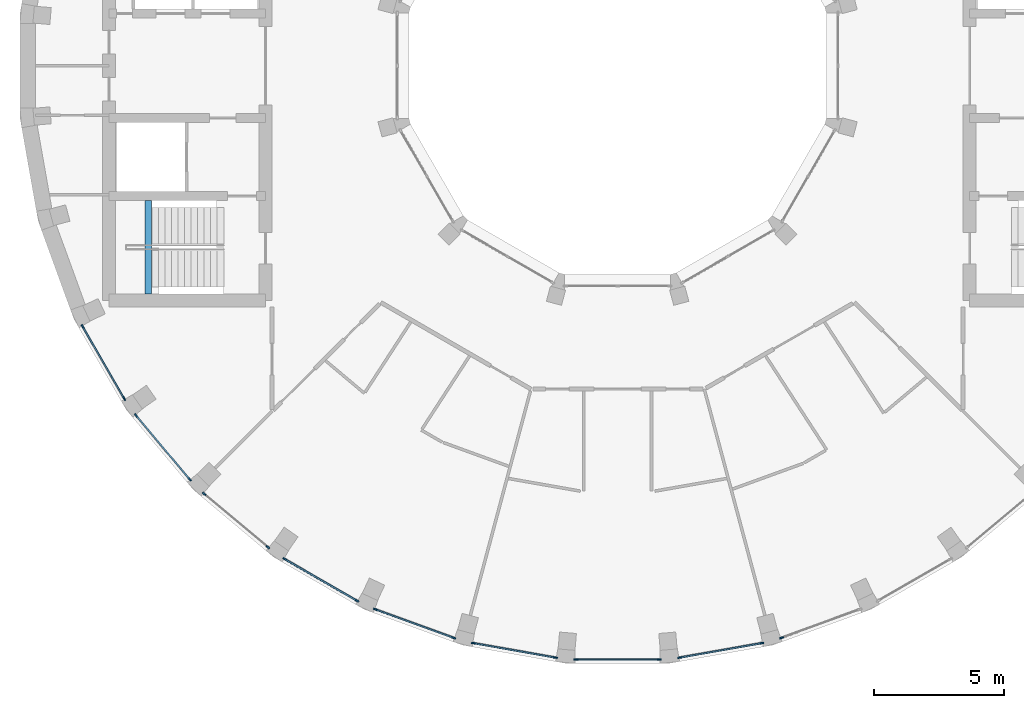
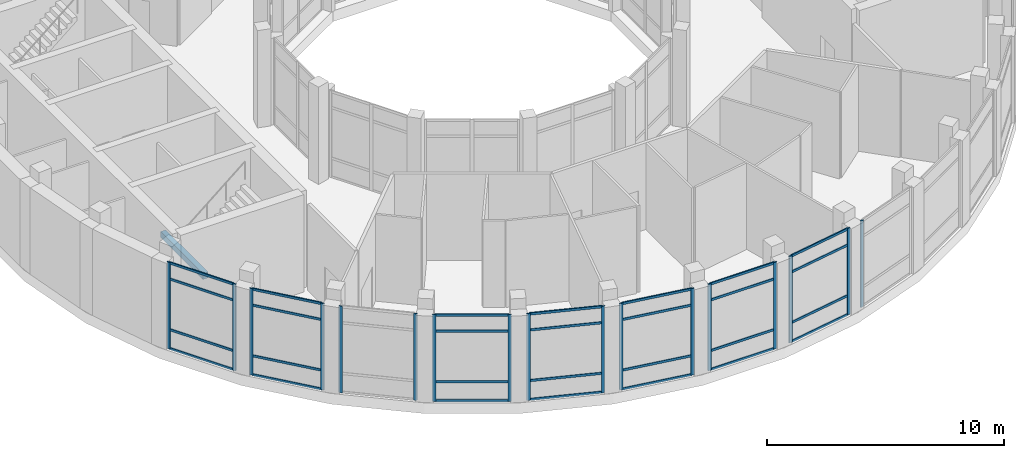
# One storey, part 2 of 16: 45 members, 1 beam, 9 elements without a shape of their own.
"""IFC4 building model written with IfcOpenShell, lengths in metres."""

from ifc_helpers import new_model, si_unit, direction, frame, origin, origin_2d, place, context, subcontext, project, spatial, rectangle, extrude, material, layer, layer_set, material_profile, profile_set, type_object, element, aggregate, save


model = new_model("IFC4")

# Units and contexts
model_context = context("Model", 3, precision=1e-05, world=origin(), true_north=direction((0.0, 1.0)))
body_context = subcontext(model_context, "Body", "Model", "MODEL_VIEW")
ifc_project = project(units=[si_unit("LENGTHUNIT", "METRE"), si_unit("AREAUNIT", "SQUARE_METRE"), si_unit("VOLUMEUNIT", "CUBIC_METRE"), si_unit("PLANEANGLEUNIT", "RADIAN"), si_unit("MASSUNIT", "GRAM", prefix="KILO")], contexts=[model_context])

# Site, building, storey
site_placement = place(None, origin())
site = spatial("IfcSite", under=ifc_project, at=site_placement, CompositionType="ELEMENT")
building_placement = place(site_placement, origin())
building = spatial("IfcBuilding", under=site, at=building_placement, Name="Saqina Gate Tower", CompositionType="ELEMENT")
storey_placement = place(building_placement, frame((0.0, 0.0, 279.199951171875)))
storey = spatial("IfcBuildingStorey", under=building, at=storey_placement, Name="L80", CompositionType="ELEMENT", Elevation=279.199951171875)

# Curtain wall, members
ifc_material_1 = material(Name="Aluminium glazing", Category="aluminium")
ifc_layer = layer(ifc_material_1, 0.159912109375)
ifc_layer_set = layer_set([ifc_layer], Name="CWT-2")
curtain_wall_type = type_object("IfcCurtainWallType", Name="CWT-2", PredefinedType="NOTDEFINED", material=ifc_layer_set)
curtain_wall_1_placement = place(storey_placement, origin())
curtain_wall_1 = element("IfcCurtainWall", 1, at=curtain_wall_1_placement, inside=storey, type_object=curtain_wall_type, Name="Sky lounge glazing facet 21", PredefinedType="NOTDEFINED")
ifc_material_2 = material(Name="Aluminium", Category="aluminium")
ifc_material_profile_1 = material_profile(ifc_material_2, rectangle(XDim=0.06005859375, YDim=0.159912109375, at=origin_2d()), Name="Aluminium 60x160")
ifc_profile_set_1 = profile_set([ifc_material_profile_1], Name="Aluminium")
member_type_1 = type_object("IfcMemberType", Name="CWT-2M", PredefinedType="MULLION", material=ifc_profile_set_1)
member_1_placement = place(storey_placement, frame((-20.5107421875, -9.999267578125, 0.0), z_axis=(0.0, 0.0, 1.0), x_axis=(0.8660355365, 0.499982449212, 0.0)))
member_1 = element("IfcMember", 2, at=member_1_placement, type_object=member_type_1, Name="CW2-21 mullion 1", PredefinedType="MULLION", context=body_context, shape_type="SweptSolid", body=[
    extrude(rectangle(XDim=0.06005859375, YDim=0.159912109375, at=origin_2d()), origin(), (0.0, 0.0, 1.0), 4.449951171875),
])
member_2_placement = place(storey_placement, frame((-18.9150390625, -12.763427734375, 0.0), z_axis=(0.0, 0.0, 1.0), x_axis=(0.8660355365, 0.499982449212, 0.0)))
member_2 = element("IfcMember", 3, at=member_2_placement, type_object=member_type_1, Name="CW2-21 mullion 2", PredefinedType="MULLION", context=body_context, shape_type="SweptSolid", body=[
    extrude(rectangle(XDim=0.06005859375, YDim=0.159912109375, at=origin_2d()), origin(), (0.0, 0.0, 1.0), 4.449951171875),
])

curtain_wall_2_placement = place(storey_placement, origin())
curtain_wall_2 = element("IfcCurtainWall", 4, at=curtain_wall_2_placement, inside=storey, type_object=curtain_wall_type, Name="Sky lounge glazing facet 22", PredefinedType="NOTDEFINED")
member_3_placement = place(storey_placement, frame((-18.462890625, -13.408935546875, 0.0), z_axis=(0.0, 0.0, 1.0), x_axis=(0.766046452821, 0.642785214609, 0.0)))
member_3 = element("IfcMember", 5, at=member_3_placement, type_object=member_type_1, Name="CW2-22 mullion 1", PredefinedType="MULLION", context=body_context, shape_type="SweptSolid", body=[
    extrude(rectangle(XDim=0.06005859375, YDim=0.159912109375, at=origin_2d()), origin(), (0.0, 0.0, 1.0), 4.449951171875),
])
member_4_placement = place(storey_placement, frame((-16.411376953125, -15.85400390625, 0.0), z_axis=(0.0, 0.0, 1.0), x_axis=(0.766046452821, 0.642785214609, 0.0)))
member_4 = element("IfcMember", 6, at=member_4_placement, type_object=member_type_1, Name="CW2-22 mullion 2", PredefinedType="MULLION", context=body_context, shape_type="SweptSolid", body=[
    extrude(rectangle(XDim=0.06005859375, YDim=0.159912109375, at=origin_2d()), origin(), (0.0, 0.0, 1.0), 4.449951171875),
])

curtain_wall_3_placement = place(storey_placement, origin())
curtain_wall_3 = element("IfcCurtainWall", 7, at=curtain_wall_3_placement, inside=storey, type_object=curtain_wall_type, Name="Sky lounge glazing facet 23", PredefinedType="NOTDEFINED")
member_5_placement = place(storey_placement, frame((-15.85400390625, -16.411376953125, 0.0), z_axis=(0.0, 0.0, 1.0), x_axis=(0.642785214609, 0.766046452821, 0.0)))
member_5 = element("IfcMember", 8, at=member_5_placement, type_object=member_type_1, Name="CW2-23 mullion 1", PredefinedType="MULLION", context=body_context, shape_type="SweptSolid", body=[
    extrude(rectangle(XDim=0.06005859375, YDim=0.159912109375, at=origin_2d()), origin(), (0.0, 0.0, 1.0), 4.449951171875),
])
member_6_placement = place(storey_placement, frame((-13.408935546875, -18.462890625, 0.0), z_axis=(0.0, 0.0, 1.0), x_axis=(0.642785214609, 0.766046452821, 0.0)))
member_6 = element("IfcMember", 9, at=member_6_placement, type_object=member_type_1, Name="CW2-23 mullion 2", PredefinedType="MULLION", context=body_context, shape_type="SweptSolid", body=[
    extrude(rectangle(XDim=0.06005859375, YDim=0.159912109375, at=origin_2d()), origin(), (0.0, 0.0, 1.0), 4.449951171875),
])
aggregate(curtain_wall_3, [member_5, member_6])

curtain_wall_4_placement = place(storey_placement, origin())
curtain_wall_4 = element("IfcCurtainWall", 10, at=curtain_wall_4_placement, inside=storey, type_object=curtain_wall_type, Name="Sky lounge glazing facet 24", PredefinedType="NOTDEFINED")
member_7_placement = place(storey_placement, frame((-12.763427734375, -18.9150390625, 0.0), z_axis=(0.0, 0.0, 1.0), x_axis=(0.499982449212, 0.8660355365, 0.0)))
member_7 = element("IfcMember", 11, at=member_7_placement, type_object=member_type_1, Name="CW2-24 mullion 1", PredefinedType="MULLION", context=body_context, shape_type="SweptSolid", body=[
    extrude(rectangle(XDim=0.06005859375, YDim=0.159912109375, at=origin_2d()), origin(), (0.0, 0.0, 1.0), 4.449951171875),
])
member_8_placement = place(storey_placement, frame((-9.999267578125, -20.5107421875, 0.0), z_axis=(0.0, 0.0, 1.0), x_axis=(0.499982449212, 0.8660355365, 0.0)))
member_8 = element("IfcMember", 12, at=member_8_placement, type_object=member_type_1, Name="CW2-24 mullion 2", PredefinedType="MULLION", context=body_context, shape_type="SweptSolid", body=[
    extrude(rectangle(XDim=0.06005859375, YDim=0.159912109375, at=origin_2d()), origin(), (0.0, 0.0, 1.0), 4.449951171875),
])

curtain_wall_5_placement = place(storey_placement, origin())
curtain_wall_5 = element("IfcCurtainWall", 13, at=curtain_wall_5_placement, inside=storey, type_object=curtain_wall_type, Name="Sky lounge glazing facet 25", PredefinedType="NOTDEFINED")
member_9_placement = place(storey_placement, frame((-9.284912109375, -20.843994140625, 0.0), z_axis=(0.0, 0.0, 1.0), x_axis=(0.342007258437, 0.939697310402, 0.0)))
member_9 = element("IfcMember", 14, at=member_9_placement, type_object=member_type_1, Name="CW2-25 mullion 1", PredefinedType="MULLION", context=body_context, shape_type="SweptSolid", body=[
    extrude(rectangle(XDim=0.06005859375, YDim=0.159912109375, at=origin_2d()), origin(), (0.0, 0.0, 1.0), 4.449951171875),
])
member_10_placement = place(storey_placement, frame((-6.28564453125, -21.935546875, 0.0), z_axis=(0.0, 0.0, 1.0), x_axis=(0.342007258437, 0.939697310402, 0.0)))
member_10 = element("IfcMember", 15, at=member_10_placement, type_object=member_type_1, Name="CW2-25 mullion 2", PredefinedType="MULLION", context=body_context, shape_type="SweptSolid", body=[
    extrude(rectangle(XDim=0.06005859375, YDim=0.159912109375, at=origin_2d()), origin(), (0.0, 0.0, 1.0), 4.449951171875),
])

curtain_wall_6_placement = place(storey_placement, origin())
curtain_wall_6 = element("IfcCurtainWall", 16, at=curtain_wall_6_placement, inside=storey, type_object=curtain_wall_type, Name="Sky lounge glazing facet 26", PredefinedType="NOTDEFINED")
member_11_placement = place(storey_placement, frame((-5.524169921875, -22.139404296875, 0.0), z_axis=(0.0, 0.0, 1.0), x_axis=(0.173662526718, 0.984805222779, 0.0)))
member_11 = element("IfcMember", 17, at=member_11_placement, type_object=member_type_1, Name="CW2-26 mullion 1", PredefinedType="MULLION", context=body_context, shape_type="SweptSolid", body=[
    extrude(rectangle(XDim=0.06005859375, YDim=0.159912109375, at=origin_2d()), origin(), (0.0, 0.0, 1.0), 4.449951171875),
])
member_12_placement = place(storey_placement, frame((-2.381103515625, -22.69384765625, 0.0), z_axis=(0.0, 0.0, 1.0), x_axis=(0.173662526718, 0.984805222779, 0.0)))
member_12 = element("IfcMember", 18, at=member_12_placement, type_object=member_type_1, Name="CW2-26 mullion 2", PredefinedType="MULLION", context=body_context, shape_type="SweptSolid", body=[
    extrude(rectangle(XDim=0.06005859375, YDim=0.159912109375, at=origin_2d()), origin(), (0.0, 0.0, 1.0), 4.449951171875),
])

curtain_wall_7_placement = place(storey_placement, origin())
curtain_wall_7 = element("IfcCurtainWall", 19, at=curtain_wall_7_placement, inside=storey, type_object=curtain_wall_type, Name="Sky lounge glazing facet 27", PredefinedType="NOTDEFINED")
member_13_placement = place(storey_placement, frame((-1.595703125, -22.762451171875, 0.0), z_axis=(0.0, 0.0, 1.0), x_axis=(0.0, 1.0, 0.0)))
member_13 = element("IfcMember", 20, at=member_13_placement, type_object=member_type_1, Name="CW2-27 mullion 1", PredefinedType="MULLION", context=body_context, shape_type="SweptSolid", body=[
    extrude(rectangle(XDim=0.06005859375, YDim=0.159912109375, at=origin_2d()), origin(), (0.0, 0.0, 1.0), 4.449951171875),
])
member_14_placement = place(storey_placement, frame((1.595703125, -22.762451171875, 0.0), z_axis=(0.0, 0.0, 1.0), x_axis=(0.0, 1.0, 0.0)))
member_14 = element("IfcMember", 21, at=member_14_placement, type_object=member_type_1, Name="CW2-27 mullion 2", PredefinedType="MULLION", context=body_context, shape_type="SweptSolid", body=[
    extrude(rectangle(XDim=0.06005859375, YDim=0.159912109375, at=origin_2d()), origin(), (0.0, 0.0, 1.0), 4.449951171875),
])

curtain_wall_8_placement = place(storey_placement, origin())
curtain_wall_8 = element("IfcCurtainWall", 22, at=curtain_wall_8_placement, inside=storey, type_object=curtain_wall_type, Name="Sky lounge glazing facet 28", PredefinedType="NOTDEFINED")
member_15_placement = place(storey_placement, frame((2.381103515625, -22.69384765625, 0.0), z_axis=(0.0, 0.0, 1.0), x_axis=(-0.173662526718, 0.984805222779, 0.0)))
member_15 = element("IfcMember", 23, at=member_15_placement, type_object=member_type_1, Name="CW2-28 mullion 1", PredefinedType="MULLION", context=body_context, shape_type="SweptSolid", body=[
    extrude(rectangle(XDim=0.06005859375, YDim=0.159912109375, at=origin_2d()), origin(), (0.0, 0.0, 1.0), 4.449951171875),
])
member_16_placement = place(storey_placement, frame((5.524169921875, -22.139404296875, 0.0), z_axis=(0.0, 0.0, 1.0), x_axis=(-0.173662526718, 0.984805222779, 0.0)))
member_16 = element("IfcMember", 24, at=member_16_placement, type_object=member_type_1, Name="CW2-28 mullion 2", PredefinedType="MULLION", context=body_context, shape_type="SweptSolid", body=[
    extrude(rectangle(XDim=0.06005859375, YDim=0.159912109375, at=origin_2d()), origin(), (0.0, 0.0, 1.0), 4.449951171875),
])

# Curtain wall, member
curtain_wall_9_placement = place(storey_placement, origin())
curtain_wall_9 = element("IfcCurtainWall", 25, at=curtain_wall_9_placement, inside=storey, type_object=curtain_wall_type, Name="Sky lounge glazing facet 29", PredefinedType="NOTDEFINED")
member_17_placement = place(storey_placement, frame((6.28564453125, -21.935546875, 0.0), z_axis=(0.0, 0.0, 1.0), x_axis=(-0.342007258437, 0.939697310402, 0.0)))
member_17 = element("IfcMember", 26, at=member_17_placement, type_object=member_type_1, Name="CW2-29 mullion 1", PredefinedType="MULLION", context=body_context, shape_type="SweptSolid", body=[
    extrude(rectangle(XDim=0.06005859375, YDim=0.159912109375, at=origin_2d()), origin(), (0.0, 0.0, 1.0), 4.449951171875),
])
aggregate(curtain_wall_9, [member_17])

# Member
ifc_material_3 = material(Name="Aluminium", Category="aluminium")
ifc_material_profile_2 = material_profile(ifc_material_3, rectangle(XDim=0.06005859375, YDim=0.1201171875, at=origin_2d()), Name="Aluminium 60x120")
ifc_profile_set_2 = profile_set([ifc_material_profile_2], Name="Aluminium")
member_type_2 = type_object("IfcMemberType", Name="CWT-2T", PredefinedType="USERDEFINED", material=ifc_profile_set_2)
member_18_placement = place(storey_placement, frame((-20.495849609375, -10.025146484375, 0.030029296875), z_axis=(0.50001262068, -0.866018117109, 0.0), x_axis=(0.866018117109, 0.50001262068, 0.0)))
member_18 = element("IfcMember", 27, at=member_18_placement, type_object=member_type_2, Name="CW2-21 transom 1.1", ObjectType="TRANSOM", PredefinedType="USERDEFINED", context=body_context, shape_type="SweptSolid", body=[
    extrude(rectangle(XDim=0.06005859375, YDim=0.1201171875, at=origin_2d()), origin(), (0.0, 0.0, 1.0), 3.1318359375),
])

member_19_placement = place(storey_placement, frame((-20.495849609375, -10.025146484375, 1.0), z_axis=(0.50001262068, -0.866018117109, 0.0), x_axis=(0.866018117109, 0.50001262068, 0.0)))
member_19 = element("IfcMember", 28, at=member_19_placement, type_object=member_type_2, Name="CW2-21 transom 1.2", ObjectType="TRANSOM", PredefinedType="USERDEFINED", context=body_context, shape_type="SweptSolid", body=[
    extrude(rectangle(XDim=0.06005859375, YDim=0.1201171875, at=origin_2d()), origin(), (0.0, 0.0, 1.0), 3.1318359375),
])

member_20_placement = place(storey_placement, frame((-20.495849609375, -10.025146484375, 3.60009765625), z_axis=(0.50001262068, -0.866018117109, 0.0), x_axis=(0.866018117109, 0.50001262068, 0.0)))
member_20 = element("IfcMember", 29, at=member_20_placement, type_object=member_type_2, Name="CW2-21 transom 1.3", ObjectType="TRANSOM", PredefinedType="USERDEFINED", context=body_context, shape_type="SweptSolid", body=[
    extrude(rectangle(XDim=0.06005859375, YDim=0.1201171875, at=origin_2d()), origin(), (0.0, 0.0, 1.0), 3.1318359375),
])

member_21_placement = place(storey_placement, frame((-20.495849609375, -10.025146484375, 4.420166015625), z_axis=(0.50001262068, -0.866018117109, 0.0), x_axis=(0.866018117109, 0.50001262068, 0.0)))
member_21 = element("IfcMember", 30, at=member_21_placement, type_object=member_type_2, Name="CW2-21 transom 1.4", ObjectType="TRANSOM", PredefinedType="USERDEFINED", context=body_context, shape_type="SweptSolid", body=[
    extrude(rectangle(XDim=0.06005859375, YDim=0.1201171875, at=origin_2d()), origin(), (0.0, 0.0, 1.0), 3.1318359375),
])

aggregate(curtain_wall_1, [member_1, member_2, member_18, member_19, member_20, member_21])

member_22_placement = place(storey_placement, frame((-18.443603515625, -13.431884765625, 0.030029296875), z_axis=(0.642749544244, -0.766076382206, 0.0), x_axis=(0.766076382206, 0.642749544244, 0.0)))
member_22 = element("IfcMember", 31, at=member_22_placement, type_object=member_type_2, Name="CW2-22 transom 1.1", ObjectType="TRANSOM", PredefinedType="USERDEFINED", context=body_context, shape_type="SweptSolid", body=[
    extrude(rectangle(XDim=0.06005859375, YDim=0.1201171875, at=origin_2d()), origin(), (0.0, 0.0, 1.0), 3.1318359375),
])

member_23_placement = place(storey_placement, frame((-18.443603515625, -13.431884765625, 1.0), z_axis=(0.642749544244, -0.766076382206, 0.0), x_axis=(0.766076382206, 0.642749544244, 0.0)))
member_23 = element("IfcMember", 32, at=member_23_placement, type_object=member_type_2, Name="CW2-22 transom 1.2", ObjectType="TRANSOM", PredefinedType="USERDEFINED", context=body_context, shape_type="SweptSolid", body=[
    extrude(rectangle(XDim=0.06005859375, YDim=0.1201171875, at=origin_2d()), origin(), (0.0, 0.0, 1.0), 3.1318359375),
])

member_24_placement = place(storey_placement, frame((-18.443603515625, -13.431884765625, 3.60009765625), z_axis=(0.642749544244, -0.766076382206, 0.0), x_axis=(0.766076382206, 0.642749544244, 0.0)))
member_24 = element("IfcMember", 33, at=member_24_placement, type_object=member_type_2, Name="CW2-22 transom 1.3", ObjectType="TRANSOM", PredefinedType="USERDEFINED", context=body_context, shape_type="SweptSolid", body=[
    extrude(rectangle(XDim=0.06005859375, YDim=0.1201171875, at=origin_2d()), origin(), (0.0, 0.0, 1.0), 3.1318359375),
])

member_25_placement = place(storey_placement, frame((-18.443603515625, -13.431884765625, 4.420166015625), z_axis=(0.642749544244, -0.766076382206, 0.0), x_axis=(0.766076382206, 0.642749544244, 0.0)))
member_25 = element("IfcMember", 34, at=member_25_placement, type_object=member_type_2, Name="CW2-22 transom 1.4", ObjectType="TRANSOM", PredefinedType="USERDEFINED", context=body_context, shape_type="SweptSolid", body=[
    extrude(rectangle(XDim=0.06005859375, YDim=0.1201171875, at=origin_2d()), origin(), (0.0, 0.0, 1.0), 3.1318359375),
])

aggregate(curtain_wall_2, [member_3, member_4, member_22, member_23, member_24, member_25])

member_26_placement = place(storey_placement, frame((-12.7373046875, -18.929931640625, 0.030029296875), z_axis=(0.866018117109, -0.50001262068, 0.0), x_axis=(0.50001262068, 0.866018117109, 0.0)))
member_26 = element("IfcMember", 35, at=member_26_placement, type_object=member_type_2, Name="CW2-24 transom 1.1", ObjectType="TRANSOM", PredefinedType="USERDEFINED", context=body_context, shape_type="SweptSolid", body=[
    extrude(rectangle(XDim=0.06005859375, YDim=0.1201171875, at=origin_2d()), origin(), (0.0, 0.0, 1.0), 3.1318359375),
])

member_27_placement = place(storey_placement, frame((-12.7373046875, -18.929931640625, 1.0), z_axis=(0.866018117109, -0.50001262068, 0.0), x_axis=(0.50001262068, 0.866018117109, 0.0)))
member_27 = element("IfcMember", 36, at=member_27_placement, type_object=member_type_2, Name="CW2-24 transom 1.2", ObjectType="TRANSOM", PredefinedType="USERDEFINED", context=body_context, shape_type="SweptSolid", body=[
    extrude(rectangle(XDim=0.06005859375, YDim=0.1201171875, at=origin_2d()), origin(), (0.0, 0.0, 1.0), 3.1318359375),
])

member_28_placement = place(storey_placement, frame((-12.7373046875, -18.929931640625, 3.60009765625), z_axis=(0.866018117109, -0.50001262068, 0.0), x_axis=(0.50001262068, 0.866018117109, 0.0)))
member_28 = element("IfcMember", 37, at=member_28_placement, type_object=member_type_2, Name="CW2-24 transom 1.3", ObjectType="TRANSOM", PredefinedType="USERDEFINED", context=body_context, shape_type="SweptSolid", body=[
    extrude(rectangle(XDim=0.06005859375, YDim=0.1201171875, at=origin_2d()), origin(), (0.0, 0.0, 1.0), 3.1318359375),
])

member_29_placement = place(storey_placement, frame((-12.7373046875, -18.929931640625, 4.420166015625), z_axis=(0.866018117109, -0.50001262068, 0.0), x_axis=(0.50001262068, 0.866018117109, 0.0)))
member_29 = element("IfcMember", 38, at=member_29_placement, type_object=member_type_2, Name="CW2-24 transom 1.4", ObjectType="TRANSOM", PredefinedType="USERDEFINED", context=body_context, shape_type="SweptSolid", body=[
    extrude(rectangle(XDim=0.06005859375, YDim=0.1201171875, at=origin_2d()), origin(), (0.0, 0.0, 1.0), 3.1318359375),
])

aggregate(curtain_wall_4, [member_7, member_8, member_26, member_27, member_28, member_29])

member_30_placement = place(storey_placement, frame((-9.256591796875, -20.854248046875, 0.030029296875), z_axis=(0.939700067025, -0.341999684258, 0.0), x_axis=(0.341999684258, 0.939700067025, 0.0)))
member_30 = element("IfcMember", 39, at=member_30_placement, type_object=member_type_2, Name="CW2-25 transom 1.1", ObjectType="TRANSOM", PredefinedType="USERDEFINED", context=body_context, shape_type="SweptSolid", body=[
    extrude(rectangle(XDim=0.06005859375, YDim=0.1201171875, at=origin_2d()), origin(), (0.0, 0.0, 1.0), 3.131591796875),
])

member_31_placement = place(storey_placement, frame((-9.256591796875, -20.854248046875, 1.0), z_axis=(0.939700067025, -0.341999684258, 0.0), x_axis=(0.341999684258, 0.939700067025, 0.0)))
member_31 = element("IfcMember", 40, at=member_31_placement, type_object=member_type_2, Name="CW2-25 transom 1.2", ObjectType="TRANSOM", PredefinedType="USERDEFINED", context=body_context, shape_type="SweptSolid", body=[
    extrude(rectangle(XDim=0.06005859375, YDim=0.1201171875, at=origin_2d()), origin(), (0.0, 0.0, 1.0), 3.131591796875),
])

member_32_placement = place(storey_placement, frame((-9.256591796875, -20.854248046875, 3.60009765625), z_axis=(0.939700067025, -0.341999684258, 0.0), x_axis=(0.341999684258, 0.939700067025, 0.0)))
member_32 = element("IfcMember", 41, at=member_32_placement, type_object=member_type_2, Name="CW2-25 transom 1.3", ObjectType="TRANSOM", PredefinedType="USERDEFINED", context=body_context, shape_type="SweptSolid", body=[
    extrude(rectangle(XDim=0.06005859375, YDim=0.1201171875, at=origin_2d()), origin(), (0.0, 0.0, 1.0), 3.131591796875),
])

member_33_placement = place(storey_placement, frame((-9.256591796875, -20.854248046875, 4.420166015625), z_axis=(0.939700067025, -0.341999684258, 0.0), x_axis=(0.341999684258, 0.939700067025, 0.0)))
member_33 = element("IfcMember", 42, at=member_33_placement, type_object=member_type_2, Name="CW2-25 transom 1.4", ObjectType="TRANSOM", PredefinedType="USERDEFINED", context=body_context, shape_type="SweptSolid", body=[
    extrude(rectangle(XDim=0.06005859375, YDim=0.1201171875, at=origin_2d()), origin(), (0.0, 0.0, 1.0), 3.131591796875),
])

aggregate(curtain_wall_5, [member_9, member_10, member_30, member_31, member_32, member_33])

member_34_placement = place(storey_placement, frame((-5.49462890625, -22.144775390625, 0.030029296875), z_axis=(0.984812584506, -0.173620774675, 0.0), x_axis=(0.173620774675, 0.984812584506, 0.0)))
member_34 = element("IfcMember", 43, at=member_34_placement, type_object=member_type_2, Name="CW2-26 transom 1.1", ObjectType="TRANSOM", PredefinedType="USERDEFINED", context=body_context, shape_type="SweptSolid", body=[
    extrude(rectangle(XDim=0.06005859375, YDim=0.1201171875, at=origin_2d()), origin(), (0.0, 0.0, 1.0), 3.131591796875),
])

member_35_placement = place(storey_placement, frame((-5.49462890625, -22.144775390625, 1.0), z_axis=(0.984812584506, -0.173620774675, 0.0), x_axis=(0.173620774675, 0.984812584506, 0.0)))
member_35 = element("IfcMember", 44, at=member_35_placement, type_object=member_type_2, Name="CW2-26 transom 1.2", ObjectType="TRANSOM", PredefinedType="USERDEFINED", context=body_context, shape_type="SweptSolid", body=[
    extrude(rectangle(XDim=0.06005859375, YDim=0.1201171875, at=origin_2d()), origin(), (0.0, 0.0, 1.0), 3.131591796875),
])

member_36_placement = place(storey_placement, frame((-5.49462890625, -22.144775390625, 3.60009765625), z_axis=(0.984812584506, -0.173620774675, 0.0), x_axis=(0.173620774675, 0.984812584506, 0.0)))
member_36 = element("IfcMember", 45, at=member_36_placement, type_object=member_type_2, Name="CW2-26 transom 1.3", ObjectType="TRANSOM", PredefinedType="USERDEFINED", context=body_context, shape_type="SweptSolid", body=[
    extrude(rectangle(XDim=0.06005859375, YDim=0.1201171875, at=origin_2d()), origin(), (0.0, 0.0, 1.0), 3.131591796875),
])

member_37_placement = place(storey_placement, frame((-5.49462890625, -22.144775390625, 4.420166015625), z_axis=(0.984812584506, -0.173620774675, 0.0), x_axis=(0.173620774675, 0.984812584506, 0.0)))
member_37 = element("IfcMember", 46, at=member_37_placement, type_object=member_type_2, Name="CW2-26 transom 1.4", ObjectType="TRANSOM", PredefinedType="USERDEFINED", context=body_context, shape_type="SweptSolid", body=[
    extrude(rectangle(XDim=0.06005859375, YDim=0.1201171875, at=origin_2d()), origin(), (0.0, 0.0, 1.0), 3.131591796875),
])

aggregate(curtain_wall_6, [member_11, member_12, member_34, member_35, member_36, member_37])

member_38_placement = place(storey_placement, frame((-1.56591796875, -22.762451171875, 0.030029296875), z_axis=(1.0, 0.0, 0.0), x_axis=(0.0, 1.0, 0.0)))
member_38 = element("IfcMember", 47, at=member_38_placement, type_object=member_type_2, Name="CW2-27 transom 1.1", ObjectType="TRANSOM", PredefinedType="USERDEFINED", context=body_context, shape_type="SweptSolid", body=[
    extrude(rectangle(XDim=0.06005859375, YDim=0.1201171875, at=origin_2d()), origin(), (0.0, 0.0, 1.0), 3.1318359375),
])

member_39_placement = place(storey_placement, frame((-1.56591796875, -22.762451171875, 1.0), z_axis=(1.0, 0.0, 0.0), x_axis=(0.0, 1.0, 0.0)))
member_39 = element("IfcMember", 48, at=member_39_placement, type_object=member_type_2, Name="CW2-27 transom 1.2", ObjectType="TRANSOM", PredefinedType="USERDEFINED", context=body_context, shape_type="SweptSolid", body=[
    extrude(rectangle(XDim=0.06005859375, YDim=0.1201171875, at=origin_2d()), origin(), (0.0, 0.0, 1.0), 3.1318359375),
])

member_40_placement = place(storey_placement, frame((-1.56591796875, -22.762451171875, 3.60009765625), z_axis=(1.0, 0.0, 0.0), x_axis=(0.0, 1.0, 0.0)))
member_40 = element("IfcMember", 49, at=member_40_placement, type_object=member_type_2, Name="CW2-27 transom 1.3", ObjectType="TRANSOM", PredefinedType="USERDEFINED", context=body_context, shape_type="SweptSolid", body=[
    extrude(rectangle(XDim=0.06005859375, YDim=0.1201171875, at=origin_2d()), origin(), (0.0, 0.0, 1.0), 3.1318359375),
])

member_41_placement = place(storey_placement, frame((-1.56591796875, -22.762451171875, 4.420166015625), z_axis=(1.0, 0.0, 0.0), x_axis=(0.0, 1.0, 0.0)))
member_41 = element("IfcMember", 50, at=member_41_placement, type_object=member_type_2, Name="CW2-27 transom 1.4", ObjectType="TRANSOM", PredefinedType="USERDEFINED", context=body_context, shape_type="SweptSolid", body=[
    extrude(rectangle(XDim=0.06005859375, YDim=0.1201171875, at=origin_2d()), origin(), (0.0, 0.0, 1.0), 3.1318359375),
])

aggregate(curtain_wall_7, [member_13, member_14, member_38, member_39, member_40, member_41])

member_42_placement = place(storey_placement, frame((2.41064453125, -22.6884765625, 0.030029296875), z_axis=(0.984812584506, 0.173620774675, 0.0), x_axis=(-0.173620774675, 0.984812584506, 0.0)))
member_42 = element("IfcMember", 51, at=member_42_placement, type_object=member_type_2, Name="CW2-28 transom 1.1", ObjectType="TRANSOM", PredefinedType="USERDEFINED", context=body_context, shape_type="SweptSolid", body=[
    extrude(rectangle(XDim=0.06005859375, YDim=0.1201171875, at=origin_2d()), origin(), (0.0, 0.0, 1.0), 3.131591796875),
])

member_43_placement = place(storey_placement, frame((2.41064453125, -22.6884765625, 1.0), z_axis=(0.984812584506, 0.173620774675, 0.0), x_axis=(-0.173620774675, 0.984812584506, 0.0)))
member_43 = element("IfcMember", 52, at=member_43_placement, type_object=member_type_2, Name="CW2-28 transom 1.2", ObjectType="TRANSOM", PredefinedType="USERDEFINED", context=body_context, shape_type="SweptSolid", body=[
    extrude(rectangle(XDim=0.06005859375, YDim=0.1201171875, at=origin_2d()), origin(), (0.0, 0.0, 1.0), 3.131591796875),
])

member_44_placement = place(storey_placement, frame((2.41064453125, -22.6884765625, 3.60009765625), z_axis=(0.984812584506, 0.173620774675, 0.0), x_axis=(-0.173620774675, 0.984812584506, 0.0)))
member_44 = element("IfcMember", 53, at=member_44_placement, type_object=member_type_2, Name="CW2-28 transom 1.3", ObjectType="TRANSOM", PredefinedType="USERDEFINED", context=body_context, shape_type="SweptSolid", body=[
    extrude(rectangle(XDim=0.06005859375, YDim=0.1201171875, at=origin_2d()), origin(), (0.0, 0.0, 1.0), 3.131591796875),
])

member_45_placement = place(storey_placement, frame((2.41064453125, -22.6884765625, 4.420166015625), z_axis=(0.984812584506, 0.173620774675, 0.0), x_axis=(-0.173620774675, 0.984812584506, 0.0)))
member_45 = element("IfcMember", 54, at=member_45_placement, type_object=member_type_2, Name="CW2-28 transom 1.4", ObjectType="TRANSOM", PredefinedType="USERDEFINED", context=body_context, shape_type="SweptSolid", body=[
    extrude(rectangle(XDim=0.06005859375, YDim=0.1201171875, at=origin_2d()), origin(), (0.0, 0.0, 1.0), 3.131591796875),
])

aggregate(curtain_wall_8, [member_15, member_16, member_42, member_43, member_44, member_45])

# Beam
ifc_material_4 = material(Name="Concrete C40/50", Category="concrete")
ifc_material_profile_3 = material_profile(ifc_material_4, rectangle(XDim=0.25, YDim=0.300048828125, at=origin_2d()), Name="STAIR LANDING BEAM")
ifc_profile_set_3 = profile_set([ifc_material_profile_3], Name="Concrete C40/50")
beam_type = type_object("IfcBeamType", Name="STAIR LANDING BEAM", PredefinedType="BEAM", material=ifc_profile_set_3)
beam_placement = place(storey_placement, frame((-18.0, -8.75, 2.10009765625), z_axis=(0.0, 1.0, 0.0), x_axis=(-1.0, 0.0, 0.0)))
element("IfcBeam", 55, at=beam_placement, inside=storey, type_object=beam_type, Name="EXIT STAIR 4 LANDING BEAM", PredefinedType="BEAM", context=body_context, shape_type="SweptSolid", body=[
    extrude(rectangle(XDim=0.25, YDim=0.300048828125, at=origin_2d()), origin(), (0.0, 0.0, 1.0), 3.574951171875),
])

save(model, "model.ifc")
